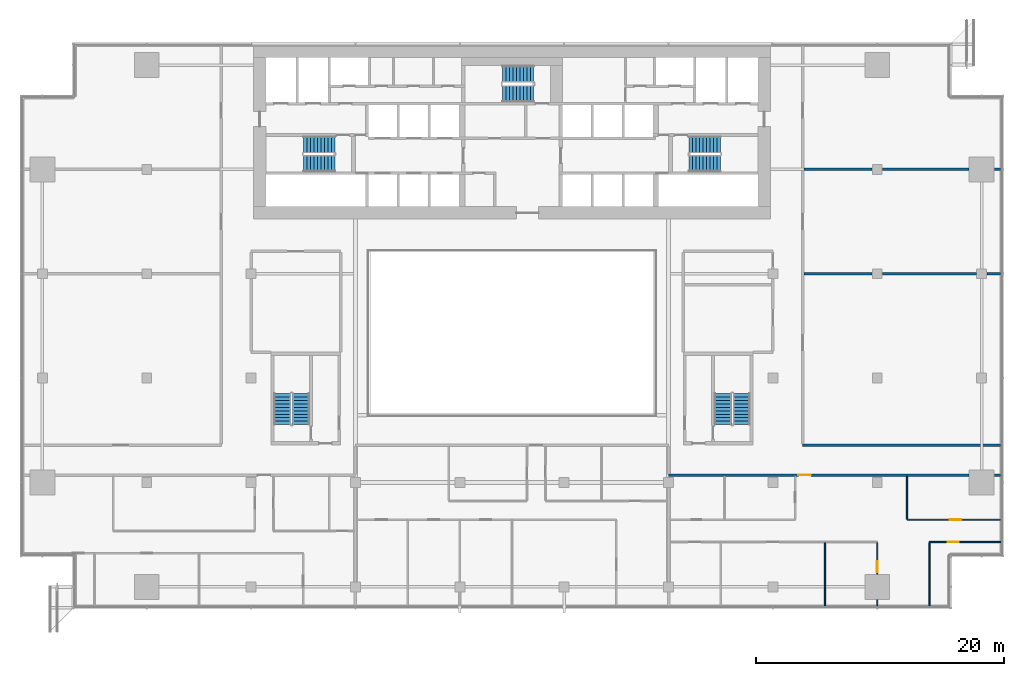
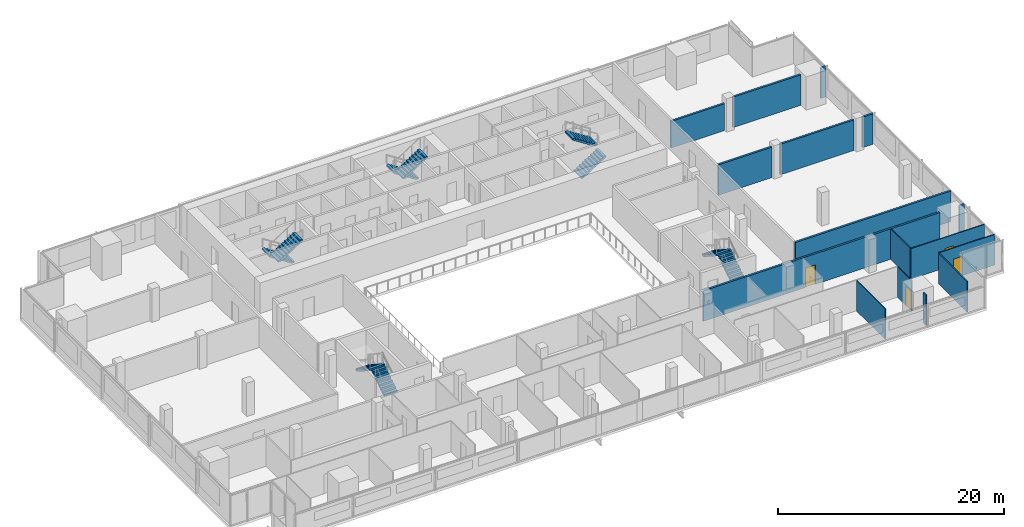
# One storey, part 23 of 26: 16 walls, 10 stair flights, 4 doors, 4 openings, 5 elements without a shape of their own.
"""IFC4 building model written with IfcOpenShell, lengths in metres."""

from ifc_helpers import new_model, si_unit, direction, frame, frame_2d, origin, place, context, subcontext, project, spatial, polyline, rectangle, outline, extrude, material, layer, layer_set, type_object, element, fill, aggregate, save


model = new_model("IFC4")

# Units and contexts
model_context = context("Model", 3, precision=1e-05, world=origin(), true_north=direction((0.0, 1.0)))
body_context = subcontext(model_context, "Body", "Model", "MODEL_VIEW")
ifc_project = project(units=[si_unit("LENGTHUNIT", "METRE"), si_unit("AREAUNIT", "SQUARE_METRE"), si_unit("VOLUMEUNIT", "CUBIC_METRE"), si_unit("PLANEANGLEUNIT", "RADIAN"), si_unit("MASSUNIT", "GRAM", prefix="KILO")], contexts=[model_context])

# Site, building, storey
site_placement = place(None, origin())
site = spatial("IfcSite", under=ifc_project, at=site_placement, CompositionType="ELEMENT")
building_placement = place(site_placement, origin())
building = spatial("IfcBuilding", under=site, at=building_placement, Name="Saffron Gate Tower", CompositionType="ELEMENT")
storey_placement = place(building_placement, frame((0.0, 0.0, 138.449951171875)))
storey = spatial("IfcBuildingStorey", under=building, at=storey_placement, Name="L33", CompositionType="ELEMENT", Elevation=138.449951171875)

# Wall, opening, door
ifc_material_1 = material(Name="Plasterboard on steel studs", Category="steel")
ifc_layer_1 = layer(ifc_material_1, 0.10009765625)
ifc_layer_set_1 = layer_set([ifc_layer_1], Name="PW1 Partition 100")
wall_type_1 = type_object("IfcWallType", Name="PW1 Partition 100", PredefinedType="PARTITIONING", material=ifc_layer_set_1)
wall_1_placement = place(storey_placement, frame((126.919921875, 35.39990234375, 0.0), z_axis=(0.0, 0.0, 1.0), x_axis=(-1.0, 0.0, 0.0)))
wall_1 = element("IfcWall", 1, at=wall_1_placement, inside=storey, type_object=wall_type_1, Name="Partition B5-3", PredefinedType="PARTITIONING", context=body_context, shape_type="SweptSolid", body=[
    extrude(rectangle(XDim=5.719970703125, YDim=0.10009765625, at=frame_2d((2.85986328125, 0.0))), origin(), (0.0, 0.0, 1.0), 3.300048828125),
])
opening_1_placement = place(wall_1_placement, frame((3.345703125, 0.0, 0.0)))
opening_1 = element("IfcOpeningElement", 2, at=opening_1_placement, cuts=wall_1, Name="Opening B5-16", PredefinedType="OPENING", context=body_context, shape_type="SweptSolid", body=[
    extrude(rectangle(XDim=0.89990234375, YDim=2.10009765625, at=frame_2d((0.449951171875, 1.050048828125))), frame((0.0, 0.06005859375, 0.0), z_axis=(0.0, -1.0, 0.0), x_axis=(1.0, 0.0, 0.0)), (0.0, 0.0, 1.0), 0.1201171875),
])
ifc_material_2 = material(Name="Timber door set", Category="wood")
door_type_1 = type_object("IfcDoorType", Name="RD1 Room door 900x2100", OperationType="NOTDEFINED", PredefinedType="DOOR", material=ifc_material_2)
door_1_placement = place(opening_1_placement, origin())
door_1 = element("IfcDoor", 3, at=door_1_placement, inside=storey, type_object=door_type_1, Name="Door B5-16", OperationType="SINGLE_SWING_RIGHT", OverallHeight=2.10009765625, OverallWidth=0.89990234375, PredefinedType="DOOR", context=body_context, shape_type="SweptSolid", body=[
    extrude(rectangle(XDim=0.89990234375, YDim=2.10009765625, at=frame_2d((0.449951171875, 1.050048828125))), frame((0.0, 0.02490234375, 0.0), z_axis=(0.0, -1.0, 0.0), x_axis=(1.0, 0.0, 0.0)), (0.0, 0.0, 1.0), 0.050048828125),
])
fill(opening_1, door_1)

wall_2_placement = place(storey_placement, frame((119.39990234375, 37.199951171875, 0.0), z_axis=(0.0, 0.0, 1.0), x_axis=(1.0, 0.0, 0.0)))
wall_2 = element("IfcWall", 4, at=wall_2_placement, inside=storey, type_object=wall_type_1, Name="Partition B5-8", PredefinedType="PARTITIONING", context=body_context, shape_type="SweptSolid", body=[
    extrude(rectangle(XDim=7.52001953125, YDim=0.10009765625, at=frame_2d((3.760009765625, 0.0))), origin(), (0.0, 0.0, 1.0), 3.300048828125),
])
opening_2_placement = place(wall_2_placement, frame((3.449951171875, 0.0, 0.0)))
opening_2 = element("IfcOpeningElement", 5, at=opening_2_placement, cuts=wall_2, Name="Opening B5-17", PredefinedType="OPENING", context=body_context, shape_type="SweptSolid", body=[
    extrude(rectangle(XDim=0.89990234375, YDim=2.10009765625, at=frame_2d((0.449951171875, 1.050048828125))), frame((0.0, 0.06005859375, 0.0), z_axis=(0.0, -1.0, 0.0), x_axis=(1.0, 0.0, 0.0)), (0.0, 0.0, 1.0), 0.1201171875),
])
door_2_placement = place(opening_2_placement, origin())
door_2 = element("IfcDoor", 6, at=door_2_placement, inside=storey, type_object=door_type_1, Name="Door B5-17", OperationType="SINGLE_SWING_RIGHT", OverallHeight=2.10009765625, OverallWidth=0.89990234375, PredefinedType="DOOR", context=body_context, shape_type="SweptSolid", body=[
    extrude(rectangle(XDim=0.89990234375, YDim=2.10009765625, at=frame_2d((0.449951171875, 1.050048828125))), frame((0.0, 0.02490234375, 0.0), z_axis=(0.0, -1.0, 0.0), x_axis=(1.0, 0.0, 0.0)), (0.0, 0.0, 1.0), 0.050048828125),
])
fill(opening_2, door_2)

# Walls
wall_3_placement = place(storey_placement, frame((112.800048828125, 35.35009765625, 0.0), z_axis=(0.0, 0.0, 1.0), x_axis=(0.0, -1.0, 0.0)))
element("IfcWall", 7, at=wall_3_placement, inside=storey, type_object=wall_type_1, Name="Partition B5-68", PredefinedType="PARTITIONING", context=body_context, shape_type="SweptSolid", body=[
    extrude(rectangle(XDim=5.070068359375, YDim=0.10009765625, at=frame_2d((2.53515625, 0.0))), origin(), (0.0, 0.0, 1.0), 3.300048828125),
])
wall_4_placement = place(storey_placement, frame((117.0, 30.780029296875, 0.0), z_axis=(0.0, 0.0, 1.0), x_axis=(0.0, -1.0, 0.0)))
element("IfcWall", 8, at=wall_4_placement, inside=storey, type_object=wall_type_1, Name="Partition B5-69", PredefinedType="PARTITIONING", context=body_context, shape_type="SweptSolid", body=[
    extrude(rectangle(XDim=0.5, YDim=0.10009765625, at=frame_2d((0.25, 0.0))), origin(), (0.0, 0.0, 1.0), 3.300048828125),
])

# Wall, opening, door
wall_5_placement = place(storey_placement, frame((117.0, 32.820068359375, 0.0), z_axis=(0.0, 0.0, 1.0), x_axis=(0.0, 1.0, 0.0)))
wall_5 = element("IfcWall", 9, at=wall_5_placement, inside=storey, type_object=wall_type_1, Name="Partition B5-70", PredefinedType="PARTITIONING", context=body_context, shape_type="SweptSolid", body=[
    extrude(rectangle(XDim=2.530029296875, YDim=0.10009765625, at=frame_2d((1.26513671875, 0.0))), origin(), (0.0, 0.0, 1.0), 3.300048828125),
])
opening_3_placement = place(wall_5_placement, frame((0.14990234375, 0.0, 0.0)))
opening_3 = element("IfcOpeningElement", 10, at=opening_3_placement, cuts=wall_5, Name="Opening B5-15", PredefinedType="OPENING", context=body_context, shape_type="SweptSolid", body=[
    extrude(rectangle(XDim=0.89990234375, YDim=2.10009765625, at=frame_2d((0.449951171875, 1.050048828125))), frame((0.0, 0.06005859375, 0.0), z_axis=(0.0, -1.0, 0.0), x_axis=(1.0, 0.0, 0.0)), (0.0, 0.0, 1.0), 0.1201171875),
])
door_3_placement = place(opening_3_placement, origin())
door_3 = element("IfcDoor", 11, at=door_3_placement, inside=storey, type_object=door_type_1, Name="Door B5-15", OperationType="SINGLE_SWING_LEFT", OverallHeight=2.10009765625, OverallWidth=0.89990234375, PredefinedType="DOOR", context=body_context, shape_type="SweptSolid", body=[
    extrude(rectangle(XDim=0.89990234375, YDim=2.10009765625, at=frame_2d((0.449951171875, 1.050048828125))), frame((0.0, 0.02490234375, 0.0), z_axis=(0.0, -1.0, 0.0), x_axis=(1.0, 0.0, 0.0)), (0.0, 0.0, 1.0), 0.050048828125),
])
fill(opening_3, door_3)

# Walls
wall_6_placement = place(storey_placement, frame((119.39990234375, 40.699951171875, 0.0), z_axis=(0.0, 0.0, 1.0), x_axis=(0.0, -1.0, 0.0)))
element("IfcWall", 12, at=wall_6_placement, inside=storey, type_object=wall_type_1, Name="Partition B5-71", PredefinedType="PARTITIONING", context=body_context, shape_type="SweptSolid", body=[
    extrude(rectangle(XDim=3.449951171875, YDim=0.10009765625, at=frame_2d((1.72509765625, 0.0))), origin(), (0.0, 0.0, 1.0), 3.300048828125),
])
wall_7_placement = place(storey_placement, frame((121.199951171875, 35.35009765625, 0.0), z_axis=(0.0, 0.0, 1.0), x_axis=(0.0, -1.0, 0.0)))
element("IfcWall", 13, at=wall_7_placement, inside=storey, type_object=wall_type_1, Name="Partition B5-72", PredefinedType="PARTITIONING", context=body_context, shape_type="SweptSolid", body=[
    extrude(rectangle(XDim=5.070068359375, YDim=0.10009765625, at=frame_2d((2.53515625, 0.0))), origin(), (0.0, 0.0, 1.0), 3.300048828125),
])

# Wall, opening, door
ifc_material_3 = material(Name="Clay brick masonry, rendered", Category="masonry")
ifc_layer_2 = layer(ifc_material_3, 0.199951171875)
ifc_layer_set_2 = layer_set([ifc_layer_2], Name="PW3 Corridor wall 200")
wall_type_2 = type_object("IfcWallType", Name="PW3 Corridor wall 200", PredefinedType="PARTITIONING", material=ifc_layer_set_2)
wall_8_placement = place(storey_placement, frame((124.3798828125, 40.800048828125, 0.0), z_axis=(0.0, 0.0, 1.0), x_axis=(-1.0, 0.0, 0.0)))
wall_8 = element("IfcWall", 14, at=wall_8_placement, inside=storey, type_object=wall_type_2, Name="Wall B5-13", PredefinedType="PARTITIONING", context=body_context, shape_type="SweptSolid", body=[
    extrude(rectangle(XDim=24.179931640625, YDim=0.199951171875, at=frame_2d((12.08984375, 0.0))), origin(), (0.0, 0.0, 1.0), 3.300048828125),
])
opening_4_placement = place(wall_8_placement, frame((12.72998046875, 0.0, 0.0)))
opening_4 = element("IfcOpeningElement", 15, at=opening_4_placement, cuts=wall_8, Name="Opening B5-3", PredefinedType="OPENING", context=body_context, shape_type="SweptSolid", body=[
    extrude(rectangle(XDim=1.0, YDim=2.10009765625, at=frame_2d((0.5, 1.050048828125))), frame((0.0, 0.10986328125, 0.0), z_axis=(0.0, -1.0, 0.0), x_axis=(1.0, 0.0, 0.0)), (0.0, 0.0, 1.0), 0.219970703125),
])
ifc_material_4 = material(Name="Timber fire door set", Category="wood")
door_type_2 = type_object("IfcDoorType", Name="FD1 Flat entry door 1000x2100", OperationType="NOTDEFINED", PredefinedType="DOOR", material=ifc_material_4)
door_4_placement = place(opening_4_placement, origin())
door_4 = element("IfcDoor", 16, at=door_4_placement, inside=storey, type_object=door_type_2, Name="Door B5-3", OperationType="SINGLE_SWING_RIGHT", OverallHeight=2.10009765625, OverallWidth=1.0, PredefinedType="DOOR", context=body_context, shape_type="SweptSolid", body=[
    extrude(rectangle(XDim=1.0, YDim=2.10009765625, at=frame_2d((0.5, 1.050048828125))), frame((0.0, 0.02490234375, 0.0), z_axis=(0.0, -1.0, 0.0), x_axis=(1.0, 0.0, 0.0)), (0.0, 0.0, 1.0), 0.050048828125),
])
fill(opening_4, door_4)

# Walls
wall_9_placement = place(storey_placement, frame((126.419921875, 40.800048828125, 0.0), z_axis=(0.0, 0.0, 1.0), x_axis=(1.0, 0.0, 0.0)))
element("IfcWall", 17, at=wall_9_placement, inside=storey, type_object=wall_type_2, Name="Wall B5-14", PredefinedType="PARTITIONING", context=body_context, shape_type="SweptSolid", body=[
    extrude(rectangle(XDim=0.5, YDim=0.199951171875, at=frame_2d((0.25, 0.0))), origin(), (0.0, 0.0, 1.0), 3.300048828125),
])
wall_10_placement = place(storey_placement, frame((111.0, 43.199951171875, 0.0), z_axis=(0.0, 0.0, 1.0), x_axis=(1.0, 0.0, 0.0)))
element("IfcWall", 18, at=wall_10_placement, inside=storey, type_object=wall_type_2, Name="Wall B5-17", PredefinedType="PARTITIONING", context=body_context, shape_type="SweptSolid", body=[
    extrude(rectangle(XDim=15.919921875, YDim=0.199951171875, at=frame_2d((7.9599609375, 0.0))), origin(), (0.0, 0.0, 1.0), 3.300048828125),
])
ifc_layer_3 = layer(ifc_material_3, 0.199951171875)
ifc_layer_set_3 = layer_set([ifc_layer_3], Name="PW5 Room wall 200")
wall_type_3 = type_object("IfcWallType", Name="PW5 Room wall 200", PredefinedType="PARTITIONING", material=ifc_layer_set_3)
wall_11_placement = place(storey_placement, frame((111.10009765625, 57.0, 0.0), z_axis=(0.0, 0.0, 1.0), x_axis=(1.0, 0.0, 0.0)))
element("IfcWall", 19, at=wall_11_placement, inside=storey, type_object=wall_type_3, Name="Wall B5-24", PredefinedType="PARTITIONING", context=body_context, shape_type="SweptSolid", body=[
    extrude(rectangle(XDim=5.47998046875, YDim=0.199951171875, at=frame_2d((2.739990234375, 0.0))), origin(), (0.0, 0.0, 1.0), 3.300048828125),
])
wall_12_placement = place(storey_placement, frame((117.419921875, 57.0, 0.0), z_axis=(0.0, 0.0, 1.0), x_axis=(1.0, 0.0, 0.0)))
element("IfcWall", 20, at=wall_12_placement, inside=storey, type_object=wall_type_3, Name="Wall B5-25", PredefinedType="PARTITIONING", context=body_context, shape_type="SweptSolid", body=[
    extrude(rectangle(XDim=7.56005859375, YDim=0.199951171875, at=frame_2d((3.780029296875, 0.0))), origin(), (0.0, 0.0, 1.0), 3.300048828125),
])
wall_13_placement = place(storey_placement, frame((125.820068359375, 57.0, 0.0), z_axis=(0.0, 0.0, 1.0), x_axis=(1.0, 0.0, 0.0)))
element("IfcWall", 21, at=wall_13_placement, inside=storey, type_object=wall_type_3, Name="Wall B5-26", PredefinedType="PARTITIONING", context=body_context, shape_type="SweptSolid", body=[
    extrude(rectangle(XDim=1.099853515625, YDim=0.199951171875, at=frame_2d((0.5498046875, 0.0))), origin(), (0.0, 0.0, 1.0), 3.300048828125),
])
wall_14_placement = place(storey_placement, frame((111.10009765625, 65.39990234375, 0.0), z_axis=(0.0, 0.0, 1.0), x_axis=(1.0, 0.0, 0.0)))
element("IfcWall", 22, at=wall_14_placement, inside=storey, type_object=wall_type_3, Name="Wall B5-32", PredefinedType="PARTITIONING", context=body_context, shape_type="SweptSolid", body=[
    extrude(rectangle(XDim=5.47998046875, YDim=0.199951171875, at=frame_2d((2.739990234375, 0.0))), origin(), (0.0, 0.0, 1.0), 2.900146484375),
])
wall_15_placement = place(storey_placement, frame((117.419921875, 65.39990234375, 0.0), z_axis=(0.0, 0.0, 1.0), x_axis=(1.0, 0.0, 0.0)))
element("IfcWall", 23, at=wall_15_placement, inside=storey, type_object=wall_type_3, Name="Wall B5-33", PredefinedType="PARTITIONING", context=body_context, shape_type="SweptSolid", body=[
    extrude(rectangle(XDim=6.9599609375, YDim=0.199951171875, at=frame_2d((3.47998046875, 0.0))), origin(), (0.0, 0.0, 1.0), 3.300048828125),
])
wall_16_placement = place(storey_placement, frame((126.419921875, 65.39990234375, 0.0), z_axis=(0.0, 0.0, 1.0), x_axis=(1.0, 0.0, 0.0)))
element("IfcWall", 24, at=wall_16_placement, inside=storey, type_object=wall_type_3, Name="Wall B5-34", PredefinedType="PARTITIONING", context=body_context, shape_type="SweptSolid", body=[
    extrude(rectangle(XDim=0.5, YDim=0.199951171875, at=frame_2d((0.25, 0.0))), origin(), (0.0, 0.0, 1.0), 3.300048828125),
])

# Stair, stair flights
ifc_material_5 = material(Name="Concrete C40", Category="concrete")
stair_type = type_object("IfcStairType", Name="ST7 Stair 1350 wide, 20 risers of 180", PredefinedType="HALF_TURN_STAIR", material=ifc_material_5)
stair_1_placement = place(storey_placement, origin())
stair_1 = element("IfcStair", 25, at=stair_1_placement, inside=storey, type_object=stair_type, Name="L33 Exit stair A", PredefinedType="HALF_TURN_STAIR")
stair_flight_type = type_object("IfcStairFlightType", Name="SF3 Stair flight 1350 wide, riser 180 going 280", PredefinedType="STRAIGHT", material=ifc_material_5)
stair_flight_1_placement = place(storey_placement, frame((73.35009765625, 67.375, 0.0), z_axis=(0.0, 0.0, 1.0), x_axis=(-1.0, 0.0, 0.0)))
stair_flight_1 = element("IfcStairFlight", 26, at=stair_flight_1_placement, type_object=stair_flight_type, Name="ST-A flight 1", NumberOfRisers=10, NumberOfTreads=9, PredefinedType="STRAIGHT", RiserHeight=0.18, TreadLength=0.28, context=body_context, shape_type="SweptSolid", body=[
    extrude(outline(polyline([(0.0, 0.0), (0.0, 0.179931640625), (0.280029296875, 0.179931640625), (0.280029296875, 0.360107421875), (0.56005859375, 0.360107421875), (0.56005859375, 0.5400390625), (0.840087890625, 0.5400390625), (0.840087890625, 0.719970703125), (1.1201171875, 0.719970703125), (1.1201171875, 0.89990234375), (1.39990234375, 0.89990234375), (1.39990234375, 1.080078125), (1.679931640625, 1.080078125), (1.679931640625, 1.260009765625), (1.9599609375, 1.260009765625), (1.9599609375, 1.43994140625), (2.239990234375, 1.43994140625), (2.239990234375, 1.6201171875), (2.52001953125, 1.6201171875), (2.52001953125, 1.800048828125), (2.52001953125, 1.44189453125), (0.277099609375, 0.0), (0.0, 0.0)])), frame((0.0, 0.675048828125, 0.0), z_axis=(0.0, -1.0, 0.0), x_axis=(1.0, 0.0, 0.0)), (0.0, 0.0, 1.0), 1.35009765625),
])
stair_flight_2_placement = place(storey_placement, frame((70.830078125, 65.875, 1.800048828125), z_axis=(0.0, 0.0, 1.0), x_axis=(1.0, 0.0, 0.0)))
stair_flight_2 = element("IfcStairFlight", 27, at=stair_flight_2_placement, type_object=stair_flight_type, Name="ST-A flight 2", NumberOfRisers=10, NumberOfTreads=9, PredefinedType="STRAIGHT", RiserHeight=0.18, TreadLength=0.28, context=body_context, shape_type="SweptSolid", body=[
    extrude(outline(polyline([(0.0, 0.0), (0.0, 0.179931640625), (0.280029296875, 0.179931640625), (0.280029296875, 0.360107421875), (0.56005859375, 0.360107421875), (0.56005859375, 0.5400390625), (0.840087890625, 0.5400390625), (0.840087890625, 0.719970703125), (1.1201171875, 0.719970703125), (1.1201171875, 0.89990234375), (1.39990234375, 0.89990234375), (1.39990234375, 1.080078125), (1.679931640625, 1.080078125), (1.679931640625, 1.260009765625), (1.9599609375, 1.260009765625), (1.9599609375, 1.43994140625), (2.239990234375, 1.43994140625), (2.239990234375, 1.6201171875), (2.52001953125, 1.6201171875), (2.52001953125, 1.800048828125), (2.52001953125, 1.44189453125), (0.277099609375, 0.0), (0.0, 0.0)])), frame((0.0, 0.675048828125, 0.0), z_axis=(0.0, -1.0, 0.0), x_axis=(1.0, 0.0, 0.0)), (0.0, 0.0, 1.0), 1.35009765625),
])
aggregate(stair_1, [stair_flight_1, stair_flight_2])

stair_2_placement = place(storey_placement, origin())
stair_2 = element("IfcStair", 28, at=stair_2_placement, inside=storey, type_object=stair_type, Name="L33 Exit stair B", PredefinedType="HALF_TURN_STAIR")
stair_flight_3_placement = place(storey_placement, frame((101.85009765625, 65.875, 0.0), z_axis=(0.0, 0.0, 1.0), x_axis=(1.0, 0.0, 0.0)))
stair_flight_3 = element("IfcStairFlight", 29, at=stair_flight_3_placement, type_object=stair_flight_type, Name="ST-B flight 1", NumberOfRisers=10, NumberOfTreads=9, PredefinedType="STRAIGHT", RiserHeight=0.18, TreadLength=0.28, context=body_context, shape_type="SweptSolid", body=[
    extrude(outline(polyline([(0.0, 0.0), (0.0, 0.179931640625), (0.280029296875, 0.179931640625), (0.280029296875, 0.360107421875), (0.56005859375, 0.360107421875), (0.56005859375, 0.5400390625), (0.840087890625, 0.5400390625), (0.840087890625, 0.719970703125), (1.1201171875, 0.719970703125), (1.1201171875, 0.89990234375), (1.39990234375, 0.89990234375), (1.39990234375, 1.080078125), (1.679931640625, 1.080078125), (1.679931640625, 1.260009765625), (1.9599609375, 1.260009765625), (1.9599609375, 1.43994140625), (2.239990234375, 1.43994140625), (2.239990234375, 1.6201171875), (2.52001953125, 1.6201171875), (2.52001953125, 1.800048828125), (2.52001953125, 1.44189453125), (0.277099609375, 0.0), (0.0, 0.0)])), frame((0.0, 0.675048828125, 0.0), z_axis=(0.0, -1.0, 0.0), x_axis=(1.0, 0.0, 0.0)), (0.0, 0.0, 1.0), 1.35009765625),
])
stair_flight_4_placement = place(storey_placement, frame((104.3701171875, 67.375, 1.800048828125), z_axis=(0.0, 0.0, 1.0), x_axis=(-1.0, 0.0, 0.0)))
stair_flight_4 = element("IfcStairFlight", 30, at=stair_flight_4_placement, type_object=stair_flight_type, Name="ST-B flight 2", NumberOfRisers=10, NumberOfTreads=9, PredefinedType="STRAIGHT", RiserHeight=0.18, TreadLength=0.28, context=body_context, shape_type="SweptSolid", body=[
    extrude(outline(polyline([(0.0, 0.0), (0.0, 0.179931640625), (0.280029296875, 0.179931640625), (0.280029296875, 0.360107421875), (0.56005859375, 0.360107421875), (0.56005859375, 0.5400390625), (0.840087890625, 0.5400390625), (0.840087890625, 0.719970703125), (1.1201171875, 0.719970703125), (1.1201171875, 0.89990234375), (1.39990234375, 0.89990234375), (1.39990234375, 1.080078125), (1.679931640625, 1.080078125), (1.679931640625, 1.260009765625), (1.9599609375, 1.260009765625), (1.9599609375, 1.43994140625), (2.239990234375, 1.43994140625), (2.239990234375, 1.6201171875), (2.52001953125, 1.6201171875), (2.52001953125, 1.800048828125), (2.52001953125, 1.44189453125), (0.277099609375, 0.0), (0.0, 0.0)])), frame((0.0, 0.675048828125, 0.0), z_axis=(0.0, -1.0, 0.0), x_axis=(1.0, 0.0, 0.0)), (0.0, 0.0, 1.0), 1.35009765625),
])
aggregate(stair_2, [stair_flight_3, stair_flight_4])

stair_3_placement = place(storey_placement, origin())
stair_3 = element("IfcStair", 31, at=stair_3_placement, inside=storey, type_object=stair_type, Name="L33 Exit stair C", PredefinedType="HALF_TURN_STAIR")
stair_flight_5_placement = place(storey_placement, frame((89.35009765625, 73.074951171875, 0.0), z_axis=(0.0, 0.0, 1.0), x_axis=(-1.0, 0.0, 0.0)))
stair_flight_5 = element("IfcStairFlight", 32, at=stair_flight_5_placement, type_object=stair_flight_type, Name="ST-C flight 1", NumberOfRisers=10, NumberOfTreads=9, PredefinedType="STRAIGHT", RiserHeight=0.18, TreadLength=0.28, context=body_context, shape_type="SweptSolid", body=[
    extrude(outline(polyline([(0.0, 0.0), (0.0, 0.179931640625), (0.280029296875, 0.179931640625), (0.280029296875, 0.360107421875), (0.56005859375, 0.360107421875), (0.56005859375, 0.5400390625), (0.840087890625, 0.5400390625), (0.840087890625, 0.719970703125), (1.1201171875, 0.719970703125), (1.1201171875, 0.89990234375), (1.39990234375, 0.89990234375), (1.39990234375, 1.080078125), (1.679931640625, 1.080078125), (1.679931640625, 1.260009765625), (1.9599609375, 1.260009765625), (1.9599609375, 1.43994140625), (2.239990234375, 1.43994140625), (2.239990234375, 1.6201171875), (2.52001953125, 1.6201171875), (2.52001953125, 1.800048828125), (2.52001953125, 1.44189453125), (0.277099609375, 0.0), (0.0, 0.0)])), frame((0.0, 0.675048828125, 0.0), z_axis=(0.0, -1.0, 0.0), x_axis=(1.0, 0.0, 0.0)), (0.0, 0.0, 1.0), 1.35009765625),
])
stair_flight_6_placement = place(storey_placement, frame((86.830078125, 71.47509765625, 1.800048828125), z_axis=(0.0, 0.0, 1.0), x_axis=(1.0, 0.0, 0.0)))
stair_flight_6 = element("IfcStairFlight", 33, at=stair_flight_6_placement, type_object=stair_flight_type, Name="ST-C flight 2", NumberOfRisers=10, NumberOfTreads=9, PredefinedType="STRAIGHT", RiserHeight=0.18, TreadLength=0.28, context=body_context, shape_type="SweptSolid", body=[
    extrude(outline(polyline([(0.0, 0.0), (0.0, 0.179931640625), (0.280029296875, 0.179931640625), (0.280029296875, 0.360107421875), (0.56005859375, 0.360107421875), (0.56005859375, 0.5400390625), (0.840087890625, 0.5400390625), (0.840087890625, 0.719970703125), (1.1201171875, 0.719970703125), (1.1201171875, 0.89990234375), (1.39990234375, 0.89990234375), (1.39990234375, 1.080078125), (1.679931640625, 1.080078125), (1.679931640625, 1.260009765625), (1.9599609375, 1.260009765625), (1.9599609375, 1.43994140625), (2.239990234375, 1.43994140625), (2.239990234375, 1.6201171875), (2.52001953125, 1.6201171875), (2.52001953125, 1.800048828125), (2.52001953125, 1.44189453125), (0.277099609375, 0.0), (0.0, 0.0)])), frame((0.0, 0.675048828125, 0.0), z_axis=(0.0, -1.0, 0.0), x_axis=(1.0, 0.0, 0.0)), (0.0, 0.0, 1.0), 1.35009765625),
])
aggregate(stair_3, [stair_flight_5, stair_flight_6])

stair_4_placement = place(storey_placement, origin())
stair_4 = element("IfcStair", 34, at=stair_4_placement, inside=storey, type_object=stair_type, Name="L33 Exit stair D", PredefinedType="HALF_TURN_STAIR")
stair_flight_7_placement = place(storey_placement, frame((70.625, 44.85009765625, 0.0), z_axis=(0.0, 0.0, 1.0), x_axis=(0.0, 1.0, 0.0)))
stair_flight_7 = element("IfcStairFlight", 35, at=stair_flight_7_placement, type_object=stair_flight_type, Name="ST-D flight 1", NumberOfRisers=10, NumberOfTreads=9, PredefinedType="STRAIGHT", RiserHeight=0.18, TreadLength=0.28, context=body_context, shape_type="SweptSolid", body=[
    extrude(outline(polyline([(0.0, 0.0), (0.0, 0.179931640625), (0.280029296875, 0.179931640625), (0.280029296875, 0.360107421875), (0.56005859375, 0.360107421875), (0.56005859375, 0.5400390625), (0.840087890625, 0.5400390625), (0.840087890625, 0.719970703125), (1.1201171875, 0.719970703125), (1.1201171875, 0.89990234375), (1.39990234375, 0.89990234375), (1.39990234375, 1.080078125), (1.679931640625, 1.080078125), (1.679931640625, 1.260009765625), (1.9599609375, 1.260009765625), (1.9599609375, 1.43994140625), (2.239990234375, 1.43994140625), (2.239990234375, 1.6201171875), (2.52001953125, 1.6201171875), (2.52001953125, 1.800048828125), (2.52001953125, 1.44189453125), (0.277099609375, 0.0), (0.0, 0.0)])), frame((0.0, 0.675048828125, 0.0), z_axis=(0.0, -1.0, 0.0), x_axis=(1.0, 0.0, 0.0)), (0.0, 0.0, 1.0), 1.35009765625),
])
stair_flight_8_placement = place(storey_placement, frame((69.125, 47.3701171875, 1.800048828125), z_axis=(0.0, 0.0, 1.0), x_axis=(0.0, -1.0, 0.0)))
stair_flight_8 = element("IfcStairFlight", 36, at=stair_flight_8_placement, type_object=stair_flight_type, Name="ST-D flight 2", NumberOfRisers=10, NumberOfTreads=9, PredefinedType="STRAIGHT", RiserHeight=0.18, TreadLength=0.28, context=body_context, shape_type="SweptSolid", body=[
    extrude(outline(polyline([(0.0, 0.0), (0.0, 0.179931640625), (0.280029296875, 0.179931640625), (0.280029296875, 0.360107421875), (0.56005859375, 0.360107421875), (0.56005859375, 0.5400390625), (0.840087890625, 0.5400390625), (0.840087890625, 0.719970703125), (1.1201171875, 0.719970703125), (1.1201171875, 0.89990234375), (1.39990234375, 0.89990234375), (1.39990234375, 1.080078125), (1.679931640625, 1.080078125), (1.679931640625, 1.260009765625), (1.9599609375, 1.260009765625), (1.9599609375, 1.43994140625), (2.239990234375, 1.43994140625), (2.239990234375, 1.6201171875), (2.52001953125, 1.6201171875), (2.52001953125, 1.800048828125), (2.52001953125, 1.44189453125), (0.277099609375, 0.0), (0.0, 0.0)])), frame((0.0, 0.675048828125, 0.0), z_axis=(0.0, -1.0, 0.0), x_axis=(1.0, 0.0, 0.0)), (0.0, 0.0, 1.0), 1.35009765625),
])
aggregate(stair_4, [stair_flight_7, stair_flight_8])

stair_5_placement = place(storey_placement, origin())
stair_5 = element("IfcStair", 37, at=stair_5_placement, inside=storey, type_object=stair_type, Name="L33 Exit stair E", PredefinedType="HALF_TURN_STAIR")
stair_flight_9_placement = place(storey_placement, frame((106.074951171875, 44.85009765625, 0.0), z_axis=(0.0, 0.0, 1.0), x_axis=(0.0, 1.0, 0.0)))
stair_flight_9 = element("IfcStairFlight", 38, at=stair_flight_9_placement, type_object=stair_flight_type, Name="ST-E flight 1", NumberOfRisers=10, NumberOfTreads=9, PredefinedType="STRAIGHT", RiserHeight=0.18, TreadLength=0.28, context=body_context, shape_type="SweptSolid", body=[
    extrude(outline(polyline([(0.0, 0.0), (0.0, 0.179931640625), (0.280029296875, 0.179931640625), (0.280029296875, 0.360107421875), (0.56005859375, 0.360107421875), (0.56005859375, 0.5400390625), (0.840087890625, 0.5400390625), (0.840087890625, 0.719970703125), (1.1201171875, 0.719970703125), (1.1201171875, 0.89990234375), (1.39990234375, 0.89990234375), (1.39990234375, 1.080078125), (1.679931640625, 1.080078125), (1.679931640625, 1.260009765625), (1.9599609375, 1.260009765625), (1.9599609375, 1.43994140625), (2.239990234375, 1.43994140625), (2.239990234375, 1.6201171875), (2.52001953125, 1.6201171875), (2.52001953125, 1.800048828125), (2.52001953125, 1.44189453125), (0.277099609375, 0.0), (0.0, 0.0)])), frame((0.0, 0.675048828125, 0.0), z_axis=(0.0, -1.0, 0.0), x_axis=(1.0, 0.0, 0.0)), (0.0, 0.0, 1.0), 1.35009765625),
])
stair_flight_10_placement = place(storey_placement, frame((104.574951171875, 47.3701171875, 1.800048828125), z_axis=(0.0, 0.0, 1.0), x_axis=(0.0, -1.0, 0.0)))
stair_flight_10 = element("IfcStairFlight", 39, at=stair_flight_10_placement, type_object=stair_flight_type, Name="ST-E flight 2", NumberOfRisers=10, NumberOfTreads=9, PredefinedType="STRAIGHT", RiserHeight=0.18, TreadLength=0.28, context=body_context, shape_type="SweptSolid", body=[
    extrude(outline(polyline([(0.0, 0.0), (0.0, 0.179931640625), (0.280029296875, 0.179931640625), (0.280029296875, 0.360107421875), (0.56005859375, 0.360107421875), (0.56005859375, 0.5400390625), (0.840087890625, 0.5400390625), (0.840087890625, 0.719970703125), (1.1201171875, 0.719970703125), (1.1201171875, 0.89990234375), (1.39990234375, 0.89990234375), (1.39990234375, 1.080078125), (1.679931640625, 1.080078125), (1.679931640625, 1.260009765625), (1.9599609375, 1.260009765625), (1.9599609375, 1.43994140625), (2.239990234375, 1.43994140625), (2.239990234375, 1.6201171875), (2.52001953125, 1.6201171875), (2.52001953125, 1.800048828125), (2.52001953125, 1.44189453125), (0.277099609375, 0.0), (0.0, 0.0)])), frame((0.0, 0.675048828125, 0.0), z_axis=(0.0, -1.0, 0.0), x_axis=(1.0, 0.0, 0.0)), (0.0, 0.0, 1.0), 1.35009765625),
])
aggregate(stair_5, [stair_flight_9, stair_flight_10])

save(model, "model.ifc")
